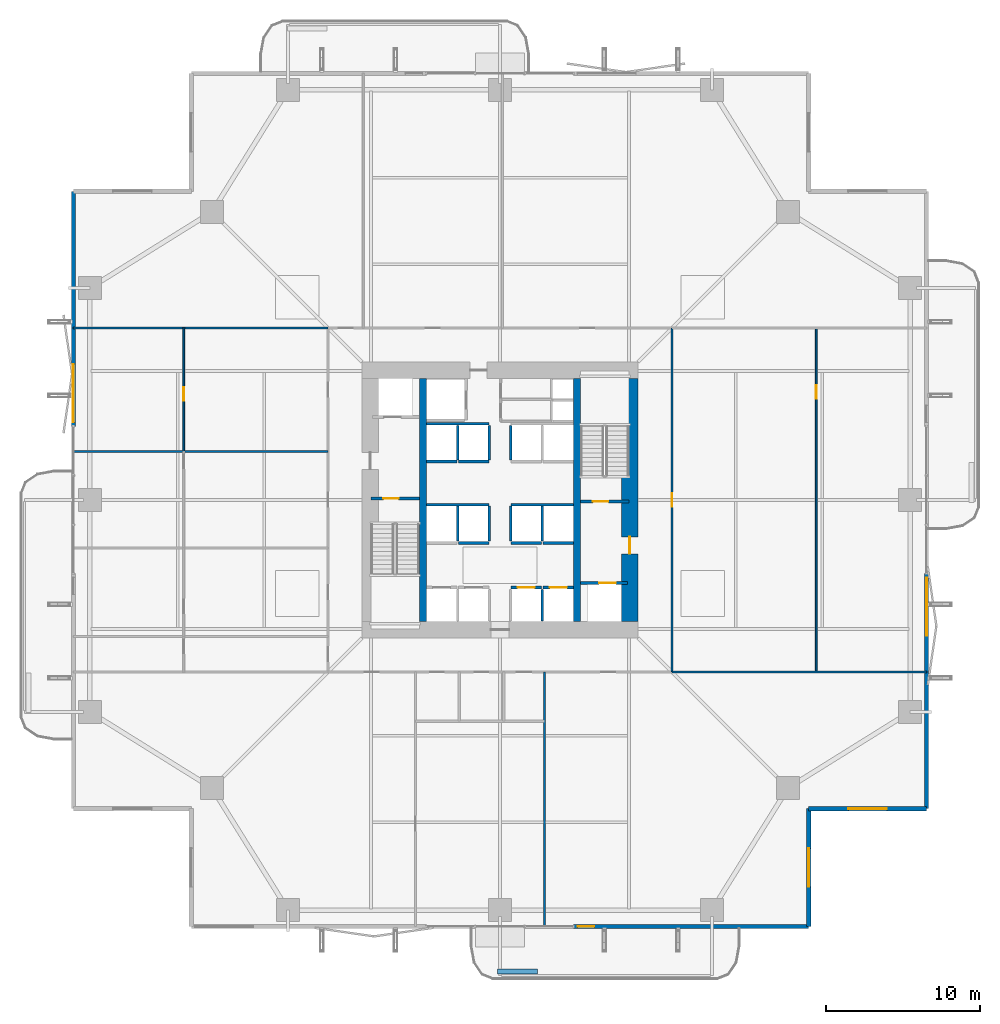
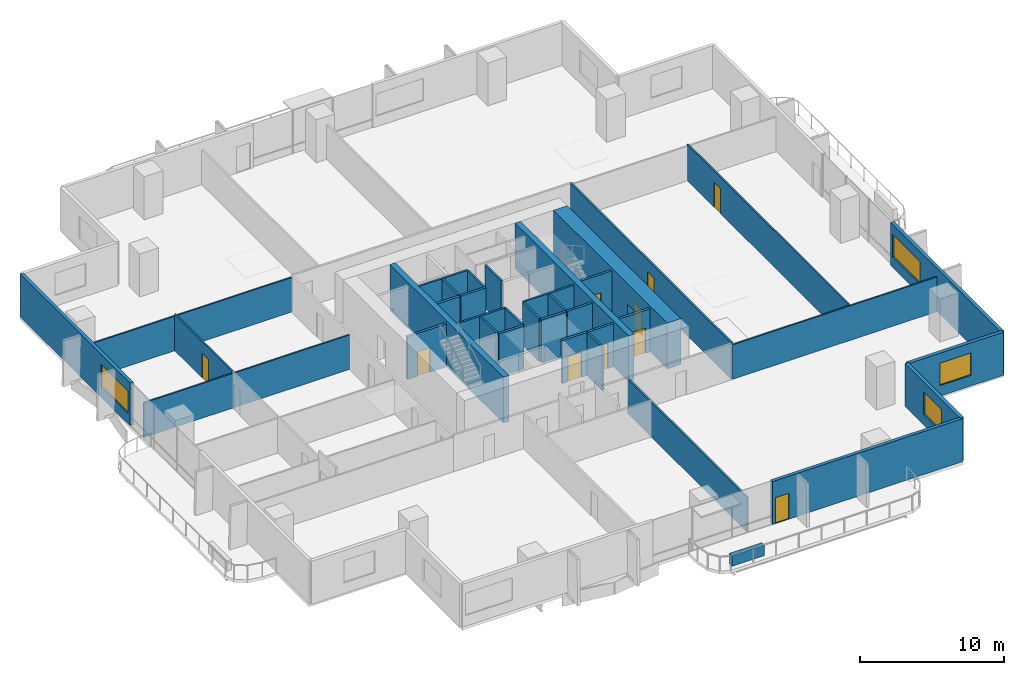
# One storey, part 18 of 24: 37 walls, 10 doors, 4 windows, 14 openings.
"""IFC4 building model written with IfcOpenShell, lengths in metres."""

from ifc_helpers import new_model, si_unit, direction, frame, frame_2d, origin, place, context, subcontext, project, spatial, rectangle, extrude, material, layer, layer_set, type_object, element, fill, save


model = new_model("IFC4")

# Units and contexts
model_context = context("Model", 3, precision=1e-05, world=origin(), true_north=direction((0.0, 1.0)))
body_context = subcontext(model_context, "Body", "Model", "MODEL_VIEW")
ifc_project = project(units=[si_unit("LENGTHUNIT", "METRE"), si_unit("AREAUNIT", "SQUARE_METRE"), si_unit("VOLUMEUNIT", "CUBIC_METRE"), si_unit("PLANEANGLEUNIT", "RADIAN"), si_unit("MASSUNIT", "GRAM", prefix="KILO")], contexts=[model_context])

# Site, building, storey
site_placement = place(None, origin())
site = spatial("IfcSite", under=ifc_project, at=site_placement, CompositionType="ELEMENT")
building_placement = place(site_placement, origin())
building = spatial("IfcBuilding", under=site, at=building_placement, Name="Belovzor Exchange Tower", CompositionType="ELEMENT")
storey_placement = place(building_placement, frame((0.0, 0.0, 80.699951171875)))
storey = spatial("IfcBuildingStorey", under=building, at=storey_placement, Name="L19", CompositionType="ELEMENT", Elevation=80.699951171875)

# Walls
ifc_material_1 = material(Name="Acoustic Plasterboard on Galvanised Studs", Category="gypsum")
ifc_layer_1 = layer(ifc_material_1, 0.1201171875)
ifc_layer_set_1 = layer_set([ifc_layer_1], Name="Acoustic Plasterboard on Galvanised Studs")
wall_type_1 = type_object("IfcWallType", Name="Acoustic Double-Stud Partition Wall 120", PredefinedType="PARTITIONING", material=ifc_layer_set_1)
for number, where, z_axis, x_axis, name in (
    (1, (40.0, 17.60009765625, 0.0), (0.0, 0.0, 1.0), (1.0, 0.0, 0.0), "W-P120 Partition Wall W-L19-END-SE"),
    (2, (1.030029296875, 40.0, 0.0), (0.0, 0.0, 1.0), (1.0, 0.0, 0.0), "W-P120 Partition Wall W-L19-END-NW"),
    (3, (1.030029296875, 31.9619140625, 0.0), (0.0, 0.0, 1.0), (1.0, 0.0, 0.0), "W-P120 Partition Wall W-L19-WDIV-3"),
):
    element("IfcWall", number, at=place(storey_placement, frame(where, z_axis=z_axis, x_axis=x_axis)), inside=storey, type_object=wall_type_1, Name=name, PredefinedType="PARTITIONING", context=body_context, shape_type="SweptSolid", body=[
        extrude(rectangle(XDim=16.570068359375, YDim=0.1201171875, at=frame_2d((8.28515625, 0.0))), origin(), (0.0, 0.0, 1.0), 2.93505859375),
    ])

# Wall, opening, door
wall_1_placement = place(storey_placement, frame((8.2119140625, 31.9619140625, 0.0), z_axis=(0.0, 0.0, 1.0), x_axis=(0.0, 1.0, 0.0)))
wall_1 = element("IfcWall", 4, at=wall_1_placement, inside=storey, type_object=wall_type_1, Name="W-P120 Partition Wall W-L19-WHDIV-3", PredefinedType="PARTITIONING", context=body_context, shape_type="SweptSolid", body=[
    extrude(rectangle(XDim=8.0380859375, YDim=0.1201171875, at=frame_2d((4.01904296875, 0.0))), origin(), (0.0, 0.0, 1.0), 3.0849609375),
])
opening_1_placement = place(wall_1_placement, frame((3.2880859375, 0.0, 0.0)))
opening_1 = element("IfcOpeningElement", 5, at=opening_1_placement, cuts=wall_1, Name="Opening D-INT-090", PredefinedType="OPENING", context=body_context, shape_type="SweptSolid", body=[
    extrude(rectangle(XDim=0.89990234375, YDim=2.10009765625, at=frame_2d((0.449951171875, 1.050048828125))), frame((0.0, 0.070068359375, 0.0), z_axis=(0.0, -1.0, 0.0), x_axis=(1.0, 0.0, 0.0)), (0.0, 0.0, 1.0), 0.14013671875),
])
ifc_material_2 = material(Name="Veneered Hardwood Acoustic Leaf", Category="wood")
door_type_1 = type_object("IfcDoorType", Name="Trading Suite Acoustic Single Door 900x2100", OperationType="NOTDEFINED", PredefinedType="DOOR", material=ifc_material_2)
door_1_placement = place(opening_1_placement, origin())
door_1 = element("IfcDoor", 6, at=door_1_placement, inside=storey, type_object=door_type_1, Name="D-INT-090 Trading Suite Acoustic Single Door 900x2100", OperationType="SINGLE_SWING_LEFT", OverallHeight=2.10009765625, OverallWidth=0.89990234375, PredefinedType="DOOR", context=body_context, shape_type="SweptSolid", body=[
    extrude(rectangle(XDim=0.89990234375, YDim=2.10009765625, at=frame_2d((0.449951171875, 1.050048828125))), frame((0.0, 0.02490234375, 0.0), z_axis=(0.0, -1.0, 0.0), x_axis=(1.0, 0.0, 0.0)), (0.0, 0.0, 1.0), 0.050048828125),
])
fill(opening_1, door_1)

wall_2_placement = place(storey_placement, frame((49.387939453125, 17.60009765625, 0.0), z_axis=(0.0, 0.0, 1.0), x_axis=(0.0, 1.0, 0.0)))
wall_2 = element("IfcWall", 7, at=wall_2_placement, inside=storey, type_object=wall_type_1, Name="W-P120 Partition Wall W-L19-EHDIV-0", PredefinedType="PARTITIONING", context=body_context, shape_type="SweptSolid", body=[
    extrude(rectangle(XDim=22.39990234375, YDim=0.1201171875, at=frame_2d((11.199951171875, 0.0))), origin(), (0.0, 0.0, 1.0), 3.0849609375),
])
opening_2_placement = place(wall_2_placement, frame((17.782958984375, 0.0, 0.0)))
opening_2 = element("IfcOpeningElement", 8, at=opening_2_placement, cuts=wall_2, Name="Opening D-INT-090", PredefinedType="OPENING", context=body_context, shape_type="SweptSolid", body=[
    extrude(rectangle(XDim=0.89990234375, YDim=2.10009765625, at=frame_2d((0.449951171875, 1.050048828125))), frame((0.0, 0.070068359375, 0.0), z_axis=(0.0, -1.0, 0.0), x_axis=(1.0, 0.0, 0.0)), (0.0, 0.0, 1.0), 0.14013671875),
])
door_2_placement = place(opening_2_placement, origin())
door_2 = element("IfcDoor", 9, at=door_2_placement, inside=storey, type_object=door_type_1, Name="D-INT-090 Trading Suite Acoustic Single Door 900x2100", OperationType="SINGLE_SWING_RIGHT", OverallHeight=2.10009765625, OverallWidth=0.89990234375, PredefinedType="DOOR", context=body_context, shape_type="SweptSolid", body=[
    extrude(rectangle(XDim=0.89990234375, YDim=2.10009765625, at=frame_2d((0.449951171875, 1.050048828125))), frame((0.0, 0.02490234375, 0.0), z_axis=(0.0, -1.0, 0.0), x_axis=(1.0, 0.0, 0.0)), (0.0, 0.0, 1.0), 0.050048828125),
])
fill(opening_2, door_2)

# Wall
ifc_material_3 = material(Name="Fire-Rated Gypsum Block and Mineral Wool", Category="gypsum")
ifc_layer_2 = layer(ifc_material_3, 0.14990234375)
ifc_layer_set_2 = layer_set([ifc_layer_2], Name="Fire-Rated Gypsum Block and Mineral Wool")
wall_type_2 = type_object("IfcWallType", Name="Fire-Rated Gypsum Block Corridor Wall 150", PredefinedType="PARTITIONING", material=ifc_layer_set_2)
wall_3_placement = place(storey_placement, frame((31.699951171875, 1.030029296875, 0.0), z_axis=(0.0, 0.0, 1.0), x_axis=(0.0, 1.0, 0.0)))
element("IfcWall", 10, at=wall_3_placement, inside=storey, type_object=wall_type_2, Name="W-P150 Partition Wall W-L19-WCE", PredefinedType="PARTITIONING", context=body_context, shape_type="SweptSolid", body=[
    extrude(rectangle(XDim=16.570068359375, YDim=0.14990234375, at=frame_2d((8.28515625, 0.0))), origin(), (0.0, 0.0, 1.0), 2.93505859375),
])

# Wall, opening, door
wall_4_placement = place(storey_placement, frame((40.0, 17.60009765625, 0.0), z_axis=(0.0, 0.0, 1.0), x_axis=(0.0, 1.0, 0.0)))
wall_4 = element("IfcWall", 11, at=wall_4_placement, inside=storey, type_object=wall_type_2, Name="W-P150 Partition Wall W-L19-CE", PredefinedType="PARTITIONING", context=body_context, shape_type="SweptSolid", body=[
    extrude(rectangle(XDim=22.39990234375, YDim=0.14990234375, at=frame_2d((11.199951171875, 0.0))), origin(), (0.0, 0.0, 1.0), 3.0849609375),
])
opening_3_placement = place(wall_4_placement, frame((10.75, 0.0, 0.0)))
opening_3 = element("IfcOpeningElement", 12, at=opening_3_placement, cuts=wall_4, Name="Opening D-INT-090", PredefinedType="OPENING", context=body_context, shape_type="SweptSolid", body=[
    extrude(rectangle(XDim=0.89990234375, YDim=2.10009765625, at=frame_2d((0.449951171875, 1.050048828125))), frame((0.0, 0.0849609375, 0.0), z_axis=(0.0, -1.0, 0.0), x_axis=(1.0, 0.0, 0.0)), (0.0, 0.0, 1.0), 0.169921875),
])
door_3_placement = place(opening_3_placement, origin())
door_3 = element("IfcDoor", 13, at=door_3_placement, inside=storey, type_object=door_type_1, Name="D-INT-090 Trading Suite Acoustic Single Door 900x2100", OperationType="SINGLE_SWING_RIGHT", OverallHeight=2.10009765625, OverallWidth=0.89990234375, PredefinedType="DOOR", context=body_context, shape_type="SweptSolid", body=[
    extrude(rectangle(XDim=0.89990234375, YDim=2.10009765625, at=frame_2d((0.449951171875, 1.050048828125))), frame((0.0, 0.02490234375, 0.0), z_axis=(0.0, -1.0, 0.0), x_axis=(1.0, 0.0, 0.0)), (0.0, 0.0, 1.0), 0.050048828125),
])
fill(opening_3, door_3)

# Wall, opening, window
ifc_material_4 = material(Name="Precast concrete C40/50", Category="concrete")
ifc_layer_3 = layer(ifc_material_4, 0.280029296875)
ifc_layer_set_3 = layer_set([ifc_layer_3], Name="Precast concrete C40/50")
wall_type_3 = type_object("IfcWallType", Name="Precast Concrete Notched Corner Frame Wall 280", PredefinedType="SOLIDWALL", material=ifc_layer_set_3)
wall_5_placement = place(storey_placement, frame((56.570068359375, 8.699951171875, 0.0), z_axis=(0.0, 0.0, 1.0), x_axis=(-1.0, 0.0, 0.0)))
wall_5 = element("IfcWall", 14, at=wall_5_placement, inside=storey, type_object=wall_type_3, Name="W-CRN280 Precast Concrete Notched Corner Frame Wall 280 L19", PredefinedType="SOLIDWALL", context=body_context, shape_type="SweptSolid", body=[
    extrude(rectangle(XDim=7.670166015625, YDim=0.280029296875, at=frame_2d((3.8349609375, 0.0))), origin(), (0.0, 0.0, 1.0), 3.650146484375),
])
opening_4_placement = place(wall_5_placement, frame((2.5849609375, 0.0, 0.89990234375)))
opening_4 = element("IfcOpeningElement", 15, at=opening_4_placement, cuts=wall_5, Name="Opening WN-CRN250", PredefinedType="OPENING", context=body_context, shape_type="SweptSolid", body=[
    extrude(rectangle(XDim=2.5, YDim=1.89990234375, at=frame_2d((1.25, 0.949951171875))), frame((0.0, 0.14990234375, 0.0), z_axis=(0.0, -1.0, 0.0), x_axis=(1.0, 0.0, 0.0)), (0.0, 0.0, 1.0), 0.300048828125),
])
ifc_material_5 = material(Name="Thermally Broken Aluminium and Triple Glazing", Category="aluminium")
window_type_1 = type_object("IfcWindowType", Name="Streamline Moderne Corner Wrap Ribbon Window 2500x1900", PartitioningType="SINGLE_PANEL", PredefinedType="WINDOW", material=ifc_material_5)
window_1_placement = place(opening_4_placement, origin())
window_1 = element("IfcWindow", 16, at=window_1_placement, inside=storey, type_object=window_type_1, Name="WN-CRN250 Streamline Moderne Corner Wrap Ribbon Window 2500x1900", OverallHeight=1.89990234375, OverallWidth=2.5, PartitioningType="SINGLE_PANEL", PredefinedType="WINDOW", context=body_context, shape_type="SweptSolid", body=[
    extrude(rectangle(XDim=2.5, YDim=1.89990234375, at=frame_2d((1.25, 0.949951171875))), frame((0.0, 0.030029296875, 0.0), z_axis=(0.0, -1.0, 0.0), x_axis=(1.0, 0.0, 0.0)), (0.0, 0.0, 1.0), 0.06005859375),
])
fill(opening_4, window_1)

wall_6_placement = place(storey_placement, frame((48.89990234375, 8.699951171875, 0.0), z_axis=(0.0, 0.0, 1.0), x_axis=(0.0, -1.0, 0.0)))
wall_6 = element("IfcWall", 17, at=wall_6_placement, inside=storey, type_object=wall_type_3, Name="W-CRN280 Precast Concrete Notched Corner Frame Wall 280 L19", PredefinedType="SOLIDWALL", context=body_context, shape_type="SweptSolid", body=[
    extrude(rectangle(XDim=7.669921875, YDim=0.280029296875, at=frame_2d((3.8349609375, 0.0))), origin(), (0.0, 0.0, 1.0), 3.650146484375),
])
opening_5_placement = place(wall_6_placement, frame((2.5849609375, 0.0, 0.89990234375)))
opening_5 = element("IfcOpeningElement", 18, at=opening_5_placement, cuts=wall_6, Name="Opening WN-CRN250", PredefinedType="OPENING", context=body_context, shape_type="SweptSolid", body=[
    extrude(rectangle(XDim=2.5, YDim=1.89990234375, at=frame_2d((1.25, 0.949951171875))), frame((0.0, 0.14990234375, 0.0), z_axis=(0.0, -1.0, 0.0), x_axis=(1.0, 0.0, 0.0)), (0.0, 0.0, 1.0), 0.300048828125),
])
window_2_placement = place(opening_5_placement, origin())
window_2 = element("IfcWindow", 19, at=window_2_placement, inside=storey, type_object=window_type_1, Name="WN-CRN250 Streamline Moderne Corner Wrap Ribbon Window 2500x1900", OverallHeight=1.89990234375, OverallWidth=2.5, PartitioningType="SINGLE_PANEL", PredefinedType="WINDOW", context=body_context, shape_type="SweptSolid", body=[
    extrude(rectangle(XDim=2.5, YDim=1.89990234375, at=frame_2d((1.25, 0.949951171875))), frame((0.0, 0.030029296875, 0.0), z_axis=(0.0, -1.0, 0.0), x_axis=(1.0, 0.0, 0.0)), (0.0, 0.0, 1.0), 0.06005859375),
])
fill(opening_5, window_2)

# Wall, opening, door
ifc_material_6 = material(Name="Precast concrete C40/50", Category="concrete")
ifc_layer_4 = layer(ifc_material_6, 0.260009765625)
ifc_layer_set_4 = layer_set([ifc_layer_4], Name="Precast concrete C40/50")
wall_type_4 = type_object("IfcWallType", Name="Precast Concrete Perimeter Loggia Frame Wall 260", PredefinedType="SOLIDWALL", material=ifc_layer_set_4)
wall_7_placement = place(storey_placement, frame((48.89990234375, 1.030029296875, 0.0), z_axis=(0.0, 0.0, 1.0), x_axis=(-1.0, 0.0, 0.0)))
wall_7 = element("IfcWall", 20, at=wall_7_placement, inside=storey, type_object=wall_type_4, Name="W-EXT260 Precast Concrete Perimeter Loggia Frame Wall 260 L19", PredefinedType="SOLIDWALL", context=body_context, shape_type="SweptSolid", body=[
    extrude(rectangle(XDim=15.2998046875, YDim=0.260009765625, at=frame_2d((7.64990234375, 0.0))), origin(), (0.0, 0.0, 1.0), 3.650146484375),
])
opening_6_placement = place(wall_7_placement, frame((13.949951171875, 0.0, 0.0)))
opening_6 = element("IfcOpeningElement", 21, at=opening_6_placement, cuts=wall_7, Name="Opening D-BAL110", PredefinedType="OPENING", context=body_context, shape_type="SweptSolid", body=[
    extrude(rectangle(XDim=1.10009765625, YDim=2.199951171875, at=frame_2d((0.550048828125, 1.10009765625))), frame((0.0, 0.139892578125, 0.0), z_axis=(0.0, -1.0, 0.0), x_axis=(1.0, 0.0, 0.0)), (0.0, 0.0, 1.0), 0.280029296875),
])
ifc_material_7 = material(Name="Thermally Broken Anodised Aluminium and Laminated Glass", Category="aluminium")
door_type_2 = type_object("IfcDoorType", Name="Planted Loggia Terrace Glazed Door 1100x2200", OperationType="SINGLE_SWING_LEFT", PredefinedType="DOOR", material=ifc_material_7)
door_4_placement = place(opening_6_placement, origin())
door_4 = element("IfcDoor", 22, at=door_4_placement, inside=storey, type_object=door_type_2, Name="D-BAL110 Balcony Terrace Door L19 S", OperationType="SINGLE_SWING_LEFT", OverallHeight=2.199951171875, OverallWidth=1.10009765625, PredefinedType="DOOR", context=body_context, shape_type="SweptSolid", body=[
    extrude(rectangle(XDim=1.10009765625, YDim=2.199951171875, at=frame_2d((0.550048828125, 1.10009765625))), frame((0.0, 0.02490234375, 0.0), z_axis=(0.0, -1.0, 0.0), x_axis=(1.0, 0.0, 0.0)), (0.0, 0.0, 1.0), 0.050048828125),
])
fill(opening_6, door_4)

# Wall, opening, window
wall_8_placement = place(storey_placement, frame((1.030029296875, 33.60009765625, 0.0), z_axis=(0.0, 0.0, 1.0), x_axis=(0.0, 1.0, 0.0)))
wall_8 = element("IfcWall", 23, at=wall_8_placement, inside=storey, type_object=wall_type_4, Name="W-EXT260 Precast Concrete Perimeter Loggia Frame Wall 260 L19", PredefinedType="SOLIDWALL", context=body_context, shape_type="SweptSolid", body=[
    extrude(rectangle(XDim=15.2998046875, YDim=0.260009765625, at=frame_2d((7.64990234375, 0.0))), origin(), (0.0, 0.0, 1.0), 3.650146484375),
])
opening_7_placement = place(wall_8_placement, frame((0.25, 0.0, 0.89990234375)))
opening_7 = element("IfcOpeningElement", 24, at=opening_7_placement, cuts=wall_8, Name="Opening WN-RIB380", PredefinedType="OPENING", context=body_context, shape_type="SweptSolid", body=[
    extrude(rectangle(XDim=3.800048828125, YDim=1.89990234375, at=frame_2d((1.89990234375, 0.949951171875))), frame((0.0, 0.139892578125, 0.0), z_axis=(0.0, -1.0, 0.0), x_axis=(1.0, 0.0, 0.0)), (0.0, 0.0, 1.0), 0.280029296875),
])
ifc_material_8 = material(Name="Thermally Broken Aluminium and Triple Glazing", Category="aluminium")
window_type_2 = type_object("IfcWindowType", Name="Streamline Moderne Horizontal Ribbon Window 3800x1900", PartitioningType="SINGLE_PANEL", PredefinedType="WINDOW", material=ifc_material_8)
window_3_placement = place(opening_7_placement, origin())
window_3 = element("IfcWindow", 25, at=window_3_placement, inside=storey, type_object=window_type_2, Name="WN-RIB380 Streamline Moderne Horizontal Ribbon Window 3800x1900", OverallHeight=1.89990234375, OverallWidth=3.800048828125, PartitioningType="SINGLE_PANEL", PredefinedType="WINDOW", context=body_context, shape_type="SweptSolid", body=[
    extrude(rectangle(XDim=3.800048828125, YDim=1.89990234375, at=frame_2d((1.89990234375, 0.949951171875))), frame((0.0, 0.030029296875, 0.0), z_axis=(0.0, -1.0, 0.0), x_axis=(1.0, 0.0, 0.0)), (0.0, 0.0, 1.0), 0.06005859375),
])
fill(opening_7, window_3)

wall_9_placement = place(storey_placement, frame((56.570068359375, 24.0, 0.0), z_axis=(0.0, 0.0, 1.0), x_axis=(0.0, -1.0, 0.0)))
wall_9 = element("IfcWall", 26, at=wall_9_placement, inside=storey, type_object=wall_type_4, Name="W-EXT260 Precast Concrete Perimeter Loggia Frame Wall 260 L19", PredefinedType="SOLIDWALL", context=body_context, shape_type="SweptSolid", body=[
    extrude(rectangle(XDim=15.300048828125, YDim=0.260009765625, at=frame_2d((7.64990234375, 0.0))), origin(), (0.0, 0.0, 1.0), 3.650146484375),
])
opening_8_placement = place(wall_9_placement, frame((0.25, 0.0, 0.89990234375)))
opening_8 = element("IfcOpeningElement", 27, at=opening_8_placement, cuts=wall_9, Name="Opening WN-RIB380", PredefinedType="OPENING", context=body_context, shape_type="SweptSolid", body=[
    extrude(rectangle(XDim=3.800048828125, YDim=1.89990234375, at=frame_2d((1.89990234375, 0.949951171875))), frame((0.0, 0.139892578125, 0.0), z_axis=(0.0, -1.0, 0.0), x_axis=(1.0, 0.0, 0.0)), (0.0, 0.0, 1.0), 0.280029296875),
])
window_4_placement = place(opening_8_placement, origin())
window_4 = element("IfcWindow", 28, at=window_4_placement, inside=storey, type_object=window_type_2, Name="WN-RIB380 Streamline Moderne Horizontal Ribbon Window 3800x1900", OverallHeight=1.89990234375, OverallWidth=3.800048828125, PartitioningType="SINGLE_PANEL", PredefinedType="WINDOW", context=body_context, shape_type="SweptSolid", body=[
    extrude(rectangle(XDim=3.800048828125, YDim=1.89990234375, at=frame_2d((1.89990234375, 0.949951171875))), frame((0.0, 0.030029296875, 0.0), z_axis=(0.0, -1.0, 0.0), x_axis=(1.0, 0.0, 0.0)), (0.0, 0.0, 1.0), 0.06005859375),
])
fill(opening_8, window_4)

# Walls
ifc_material_9 = material(Name="Precast concrete C40/50", Category="concrete")
ifc_layer_5 = layer(ifc_material_9, 0.35009765625)
ifc_layer_set_5 = layer_set([ifc_layer_5], Name="Precast concrete C40/50")
wall_type_5 = type_object("IfcWallType", Name="Precast Concrete Structural Tree Planter Trough 350", PredefinedType="PARAPET", material=ifc_layer_set_5)
wall_10_placement = place(storey_placement, frame((28.64990234375, -1.89990234375, 0.0), z_axis=(0.0, 0.0, 1.0), x_axis=(1.0, 0.0, 0.0)))
element("IfcWall", 29, at=wall_10_placement, inside=storey, type_object=wall_type_5, Name="PT-350 Precast Concrete Structural Tree Planter Trough 350 L19", PredefinedType="PARAPET", context=body_context, shape_type="SweptSolid", body=[
    extrude(rectangle(XDim=2.60009765625, YDim=0.35009765625, at=frame_2d((1.300048828125, 0.0))), origin(), (0.0, 0.0, 1.0), 0.900146484375),
])
ifc_material_10 = material(Name="Concrete C50/60", Category="concrete")
ifc_layer_6 = layer(ifc_material_10, 0.449951171875)
ifc_layer_set_6 = layer_set([ifc_layer_6], Name="Concrete C50/60")
wall_type_6 = type_object("IfcWallType", Name="Reinforced Concrete Core Internal Web Wall 450", PredefinedType="SHEAR", material=ifc_layer_set_6)
for number, where, z_axis, x_axis, name in (
    (30, (23.77490234375, 20.89990234375, 0.0), (0.0, 0.0, 1.0), (0.0, 1.0, 0.0), "CW-W045 Core Internal Web Wall L19 WL"),
    (31, (33.824951171875, 20.89990234375, 0.0), (0.0, 0.0, 1.0), (0.0, 1.0, 0.0), "CW-W045 Core Internal Web Wall L19 ER"),
):
    element("IfcWall", number, at=place(storey_placement, frame(where, z_axis=z_axis, x_axis=x_axis)), inside=storey, type_object=wall_type_6, Name=name, PredefinedType="SHEAR", context=body_context, shape_type="SweptSolid", body=[
        extrude(rectangle(XDim=15.800048828125, YDim=0.449951171875, at=frame_2d((7.89990234375, 0.0))), origin(), (0.0, 0.0, 1.0), 3.900146484375),
    ])
ifc_material_11 = material(Name="Concrete C50/60", Category="concrete")
ifc_layer_7 = layer(ifc_material_11, 0.14990234375)
ifc_layer_set_7 = layer_set([ifc_layer_7], Name="Concrete C50/60")
wall_type_7 = type_object("IfcWallType", Name="Reinforced Concrete Core Riser Shear Wall 150", PredefinedType="SHEAR", material=ifc_layer_set_7)
wall_11_placement = place(storey_placement, frame((31.550048828125, 20.919921875, 0.0), z_axis=(0.0, 0.0, 1.0), x_axis=(0.0, 1.0, 0.0)))
element("IfcWall", 32, at=wall_11_placement, inside=storey, type_object=wall_type_7, Name="W-C150S Core Shaft Wall W-SHD-L19-PLL-4", PredefinedType="SHEAR", context=body_context, shape_type="SweptSolid", body=[
    extrude(rectangle(XDim=2.06005859375, YDim=0.14990234375, at=frame_2d((1.030029296875, 0.0))), origin(), (0.0, 0.0, 1.0), 3.650146484375),
])
for number, where, z_axis, x_axis, name in (
    (33, (24.02001953125, 28.5, 0.0), (0.0, 0.0, 1.0), (1.0, 0.0, 0.0), "W-C150S Core Shaft Wall W-SHB-L19-PLM-NW"),
    (34, (29.5, 28.5, 0.0), (0.0, 0.0, 1.0), (1.0, 0.0, 0.0), "W-C150S Core Shaft Wall W-SHB-L19-PLM-NE"),
):
    element("IfcWall", number, at=place(storey_placement, frame(where, z_axis=z_axis, x_axis=x_axis)), inside=storey, type_object=wall_type_7, Name=name, PredefinedType="SHEAR", context=body_context, shape_type="SweptSolid", body=[
        extrude(rectangle(XDim=4.080078125, YDim=0.14990234375, at=frame_2d((2.0400390625, 0.0))), origin(), (0.0, 0.0, 1.0), 3.650146484375),
    ])
for number, where, z_axis, x_axis, name in (
    (35, (26.050048828125, 26.1201171875, 0.0), (0.0, 0.0, 1.0), (0.0, 1.0, 0.0), "W-C150S Core Shaft Wall W-SHD-L19-PLM-1"),
    (36, (28.10009765625, 26.1201171875, 0.0), (0.0, 0.0, 1.0), (0.0, 1.0, 0.0), "W-C150S Core Shaft Wall W-SHD-L19-PLM-2"),
    (37, (29.5, 26.1201171875, 0.0), (0.0, 0.0, 1.0), (0.0, 1.0, 0.0), "W-C150S Core Shaft Wall W-SHD-L19-PLM-3"),
    (38, (31.550048828125, 26.1201171875, 0.0), (0.0, 0.0, 1.0), (0.0, 1.0, 0.0), "W-C150S Core Shaft Wall W-SHD-L19-PLM-4"),
):
    element("IfcWall", number, at=place(storey_placement, frame(where, z_axis=z_axis, x_axis=x_axis)), inside=storey, type_object=wall_type_7, Name=name, PredefinedType="SHEAR", context=body_context, shape_type="SweptSolid", body=[
        extrude(rectangle(XDim=2.27978515625, YDim=0.14990234375, at=frame_2d((1.139892578125, 0.0))), origin(), (0.0, 0.0, 1.0), 3.650146484375),
    ])
wall_12_placement = place(storey_placement, frame((24.02001953125, 33.760009765625, 0.0), z_axis=(0.0, 0.0, 1.0), x_axis=(1.0, 0.0, 0.0)))
element("IfcWall", 39, at=wall_12_placement, inside=storey, type_object=wall_type_7, Name="W-C150S Core Shaft Wall W-SHB-L19-PLH-NW", PredefinedType="SHEAR", context=body_context, shape_type="SweptSolid", body=[
    extrude(rectangle(XDim=4.080078125, YDim=0.14990234375, at=frame_2d((2.0400390625, 0.0))), origin(), (0.0, 0.0, 1.0), 3.650146484375),
])
for number, where, z_axis, x_axis, name in (
    (40, (26.050048828125, 31.419921875, 0.0), (0.0, 0.0, 1.0), (0.0, 1.0, 0.0), "W-C150S Core Shaft Wall W-SHD-L19-PLH-1"),
    (41, (28.10009765625, 31.419921875, 0.0), (0.0, 0.0, 1.0), (0.0, 1.0, 0.0), "W-C150S Core Shaft Wall W-SHD-L19-PLH-2"),
    (42, (29.5, 31.419921875, 0.0), (0.0, 0.0, 1.0), (0.0, 1.0, 0.0), "W-C150S Core Shaft Wall W-SHD-L19-PLH-3"),
):
    element("IfcWall", number, at=place(storey_placement, frame(where, z_axis=z_axis, x_axis=x_axis)), inside=storey, type_object=wall_type_7, Name=name, PredefinedType="SHEAR", context=body_context, shape_type="SweptSolid", body=[
        extrude(rectangle(XDim=2.239990234375, YDim=0.14990234375, at=frame_2d((1.1201171875, 0.0))), origin(), (0.0, 0.0, 1.0), 3.650146484375),
    ])

# Wall, opening, door
ifc_material_12 = material(Name="Concrete C50/60", Category="concrete")
ifc_layer_8 = layer(ifc_material_12, 0.199951171875)
ifc_layer_set_8 = layer_set([ifc_layer_8], Name="Concrete C50/60")
wall_type_8 = type_object("IfcWallType", Name="Reinforced Concrete Core Shaft Shear Wall 200", PredefinedType="SHEAR", material=ifc_layer_set_8)
wall_13_placement = place(storey_placement, frame((20.39990234375, 28.89990234375, 0.0), z_axis=(0.0, 0.0, 1.0), x_axis=(1.0, 0.0, 0.0)))
wall_13 = element("IfcWall", 43, at=wall_13_placement, inside=storey, type_object=wall_type_8, Name="W-C200S Core Shaft Wall W-CORE-L19-FFLW1", PredefinedType="SHEAR", context=body_context, shape_type="SweptSolid", body=[
    extrude(rectangle(XDim=3.150146484375, YDim=0.199951171875, at=frame_2d((1.5751953125, 0.0))), origin(), (0.0, 0.0, 1.0), 3.650146484375),
])
opening_9_placement = place(wall_13_placement, frame((0.800048828125, 0.0, 0.0)))
opening_9 = element("IfcOpeningElement", 44, at=opening_9_placement, cuts=wall_13, Name="Opening D-FD90-100", PredefinedType="OPENING", context=body_context, shape_type="SweptSolid", body=[
    extrude(rectangle(XDim=1.0, YDim=2.10009765625, at=frame_2d((0.5, 1.050048828125))), frame((0.0, 0.10986328125, 0.0), z_axis=(0.0, -1.0, 0.0), x_axis=(1.0, 0.0, 0.0)), (0.0, 0.0, 1.0), 0.219970703125),
])
ifc_material_13 = material(Name="Fire-Rated Galvanised Steel Leaf", Category="steel")
door_type_3 = type_object("IfcDoorType", Name="Protected Stairwell Single Fire Door 1000x2100", OperationType="NOTDEFINED", PredefinedType="DOOR", material=ifc_material_13)
door_5_placement = place(opening_9_placement, origin())
door_5 = element("IfcDoor", 45, at=door_5_placement, inside=storey, type_object=door_type_3, Name="D-FD90-100 Protected Stairwell Single Fire Door 1000x2100", OperationType="SINGLE_SWING_RIGHT", OverallHeight=2.10009765625, OverallWidth=1.0, PredefinedType="DOOR", context=body_context, shape_type="SweptSolid", body=[
    extrude(rectangle(XDim=1.0, YDim=2.10009765625, at=frame_2d((0.5, 1.050048828125))), frame((0.0, 0.02490234375, 0.0), z_axis=(0.0, -1.0, 0.0), x_axis=(1.0, 0.0, 0.0)), (0.0, 0.0, 1.0), 0.050048828125),
])
fill(opening_9, door_5)

wall_14_placement = place(storey_placement, frame((34.050048828125, 28.699951171875, 0.0), z_axis=(0.0, 0.0, 1.0), x_axis=(1.0, 0.0, 0.0)))
wall_14 = element("IfcWall", 46, at=wall_14_placement, inside=storey, type_object=wall_type_8, Name="W-C200S Core Shaft Wall W-CORE-L19-FFLE2", PredefinedType="SHEAR", context=body_context, shape_type="SweptSolid", body=[
    extrude(rectangle(XDim=3.14990234375, YDim=0.199951171875, at=frame_2d((1.574951171875, 0.0))), origin(), (0.0, 0.0, 1.0), 3.650146484375),
])
opening_10_placement = place(wall_14_placement, frame((0.800048828125, 0.0, 0.0)))
opening_10 = element("IfcOpeningElement", 47, at=opening_10_placement, cuts=wall_14, Name="Opening D-FD90-100", PredefinedType="OPENING", context=body_context, shape_type="SweptSolid", body=[
    extrude(rectangle(XDim=1.0, YDim=2.10009765625, at=frame_2d((0.5, 1.050048828125))), frame((0.0, 0.10986328125, 0.0), z_axis=(0.0, -1.0, 0.0), x_axis=(1.0, 0.0, 0.0)), (0.0, 0.0, 1.0), 0.219970703125),
])
door_6_placement = place(opening_10_placement, origin())
door_6 = element("IfcDoor", 48, at=door_6_placement, inside=storey, type_object=door_type_3, Name="D-FD90-100 Protected Stairwell Single Fire Door 1000x2100", OperationType="SINGLE_SWING_LEFT", OverallHeight=2.10009765625, OverallWidth=1.0, PredefinedType="DOOR", context=body_context, shape_type="SweptSolid", body=[
    extrude(rectangle(XDim=1.0, YDim=2.10009765625, at=frame_2d((0.5, 1.050048828125))), frame((0.0, 0.02490234375, 0.0), z_axis=(0.0, -1.0, 0.0), x_axis=(1.0, 0.0, 0.0)), (0.0, 0.0, 1.0), 0.050048828125),
])
fill(opening_10, door_6)

wall_15_placement = place(storey_placement, frame((34.050048828125, 23.39990234375, 0.0), z_axis=(0.0, 0.0, 1.0), x_axis=(1.0, 0.0, 0.0)))
wall_15 = element("IfcWall", 49, at=wall_15_placement, inside=storey, type_object=wall_type_8, Name="W-C200S Core Shaft Wall W-SH-L19-FFL-02", PredefinedType="SHEAR", context=body_context, shape_type="SweptSolid", body=[
    extrude(rectangle(XDim=3.050048828125, YDim=0.199951171875, at=frame_2d((1.52490234375, 0.0))), origin(), (0.0, 0.0, 1.0), 3.650146484375),
])
opening_11_placement = place(wall_15_placement, frame((1.199951171875, 0.0, 0.0)))
opening_11 = element("IfcOpeningElement", 50, at=opening_11_placement, cuts=wall_15, Name="Opening LD-110", PredefinedType="OPENING", context=body_context, shape_type="SweptSolid", body=[
    extrude(rectangle(XDim=1.10009765625, YDim=2.14990234375, at=frame_2d((0.550048828125, 1.074951171875))), frame((0.0, 0.10986328125, 0.0), z_axis=(0.0, -1.0, 0.0), x_axis=(1.0, 0.0, 0.0)), (0.0, 0.0, 1.0), 0.219970703125),
])
ifc_material_14 = material(Name="Stainless Steel Grade 304", Category="steel")
door_type_4 = type_object("IfcDoorType", Name="Automated Stainless Steel Lift Landing Door 1100x2150", OperationType="SLIDING_TO_RIGHT", PredefinedType="DOOR", material=ifc_material_14)
door_7_placement = place(opening_11_placement, origin())
door_7 = element("IfcDoor", 51, at=door_7_placement, inside=storey, type_object=door_type_4, Name="LD-110 Automated Stainless Steel Lift Landing Door 1100x2150", OperationType="SLIDING_TO_RIGHT", OverallHeight=2.14990234375, OverallWidth=1.10009765625, PredefinedType="DOOR", context=body_context, shape_type="SweptSolid", body=[
    extrude(rectangle(XDim=1.10009765625, YDim=2.14990234375, at=frame_2d((0.550048828125, 1.074951171875))), frame((0.0, 0.02490234375, 0.0), z_axis=(0.0, -1.0, 0.0), x_axis=(1.0, 0.0, 0.0)), (0.0, 0.0, 1.0), 0.050048828125),
])
fill(opening_11, door_7)

wall_16_placement = place(storey_placement, frame((29.5, 23.10009765625, 0.0), z_axis=(0.0, 0.0, 1.0), x_axis=(1.0, 0.0, 0.0)))
wall_16 = element("IfcWall", 52, at=wall_16_placement, inside=storey, type_object=wall_type_8, Name="W-C200S Core Shaft Wall W-SH-L19-PL-L3", PredefinedType="SHEAR", context=body_context, shape_type="SweptSolid", body=[
    extrude(rectangle(XDim=2.0, YDim=0.199951171875, at=frame_2d((1.0, 0.0))), origin(), (0.0, 0.0, 1.0), 3.650146484375),
])
opening_12_placement = place(wall_16_placement, frame((0.449951171875, 0.0, 0.0)))
opening_12 = element("IfcOpeningElement", 53, at=opening_12_placement, cuts=wall_16, Name="Opening LD-110", PredefinedType="OPENING", context=body_context, shape_type="SweptSolid", body=[
    extrude(rectangle(XDim=1.10009765625, YDim=2.14990234375, at=frame_2d((0.550048828125, 1.074951171875))), frame((0.0, 0.10986328125, 0.0), z_axis=(0.0, -1.0, 0.0), x_axis=(1.0, 0.0, 0.0)), (0.0, 0.0, 1.0), 0.219970703125),
])
door_8_placement = place(opening_12_placement, origin())
door_8 = element("IfcDoor", 54, at=door_8_placement, inside=storey, type_object=door_type_4, Name="LD-110 Automated Stainless Steel Lift Landing Door 1100x2150", OperationType="SLIDING_TO_RIGHT", OverallHeight=2.14990234375, OverallWidth=1.10009765625, PredefinedType="DOOR", context=body_context, shape_type="SweptSolid", body=[
    extrude(rectangle(XDim=1.10009765625, YDim=2.14990234375, at=frame_2d((0.550048828125, 1.074951171875))), frame((0.0, 0.02490234375, 0.0), z_axis=(0.0, -1.0, 0.0), x_axis=(1.0, 0.0, 0.0)), (0.0, 0.0, 1.0), 0.050048828125),
])
fill(opening_12, door_8)

wall_17_placement = place(storey_placement, frame((31.60009765625, 23.10009765625, 0.0), z_axis=(0.0, 0.0, 1.0), x_axis=(1.0, 0.0, 0.0)))
wall_17 = element("IfcWall", 55, at=wall_17_placement, inside=storey, type_object=wall_type_8, Name="W-C200S Core Shaft Wall W-SH-L19-PL-L4", PredefinedType="SHEAR", context=body_context, shape_type="SweptSolid", body=[
    extrude(rectangle(XDim=2.0, YDim=0.199951171875, at=frame_2d((1.0, 0.0))), origin(), (0.0, 0.0, 1.0), 3.650146484375),
])
opening_13_placement = place(wall_17_placement, frame((0.449951171875, 0.0, 0.0)))
opening_13 = element("IfcOpeningElement", 56, at=opening_13_placement, cuts=wall_17, Name="Opening LD-110", PredefinedType="OPENING", context=body_context, shape_type="SweptSolid", body=[
    extrude(rectangle(XDim=1.10009765625, YDim=2.14990234375, at=frame_2d((0.550048828125, 1.074951171875))), frame((0.0, 0.10986328125, 0.0), z_axis=(0.0, -1.0, 0.0), x_axis=(1.0, 0.0, 0.0)), (0.0, 0.0, 1.0), 0.219970703125),
])
door_9_placement = place(opening_13_placement, origin())
door_9 = element("IfcDoor", 57, at=door_9_placement, inside=storey, type_object=door_type_4, Name="LD-110 Automated Stainless Steel Lift Landing Door 1100x2150", OperationType="SLIDING_TO_RIGHT", OverallHeight=2.14990234375, OverallWidth=1.10009765625, PredefinedType="DOOR", context=body_context, shape_type="SweptSolid", body=[
    extrude(rectangle(XDim=1.10009765625, YDim=2.14990234375, at=frame_2d((0.550048828125, 1.074951171875))), frame((0.0, 0.02490234375, 0.0), z_axis=(0.0, -1.0, 0.0), x_axis=(1.0, 0.0, 0.0)), (0.0, 0.0, 1.0), 0.050048828125),
])
fill(opening_13, door_9)

# Walls
for number, where, z_axis, x_axis, name in (
    (58, (26.10009765625, 26.0, 0.0), (0.0, 0.0, 1.0), (1.0, 0.0, 0.0), "W-C200S Core Shaft Wall W-SH-L19-PL-M2"),
    (59, (29.5, 26.0, 0.0), (0.0, 0.0, 1.0), (1.0, 0.0, 0.0), "W-C200S Core Shaft Wall W-SH-L19-PL-M3"),
    (60, (31.60009765625, 26.0, 0.0), (0.0, 0.0, 1.0), (1.0, 0.0, 0.0), "W-C200S Core Shaft Wall W-SH-L19-PL-M4"),
    (61, (24.0, 31.300048828125, 0.0), (0.0, 0.0, 1.0), (1.0, 0.0, 0.0), "W-C200S Core Shaft Wall W-SH-L19-PL-H1"),
    (62, (26.10009765625, 31.300048828125, 0.0), (0.0, 0.0, 1.0), (1.0, 0.0, 0.0), "W-C200S Core Shaft Wall W-SH-L19-PL-H2"),
):
    element("IfcWall", number, at=place(storey_placement, frame(where, z_axis=z_axis, x_axis=x_axis)), inside=storey, type_object=wall_type_8, Name=name, PredefinedType="SHEAR", context=body_context, shape_type="SweptSolid", body=[
        extrude(rectangle(XDim=2.0, YDim=0.199951171875, at=frame_2d((1.0, 0.0))), origin(), (0.0, 0.0, 1.0), 3.650146484375),
    ])

# Wall, opening, door
ifc_material_15 = material(Name="Concrete C60/75", Category="concrete")
ifc_layer_9 = layer(ifc_material_15, 1.10009765625)
ifc_layer_set_9 = layer_set([ifc_layer_9], Name="Concrete C60/75")
wall_type_9 = type_object("IfcWallType", Name="Reinforced Concrete Core Shear Wall 1100", PredefinedType="SHEAR", material=ifc_layer_set_9)
wall_18_placement = place(storey_placement, frame((37.25, 20.89990234375, 0.0), z_axis=(0.0, 0.0, 1.0), x_axis=(0.0, 1.0, 0.0)))
wall_18 = element("IfcWall", 63, at=wall_18_placement, inside=storey, type_object=wall_type_9, Name="CW-S110 Core Shear Wall L19 E", PredefinedType="SHEAR", context=body_context, shape_type="SweptSolid", body=[
    extrude(rectangle(XDim=15.800048828125, YDim=1.10009765625, at=frame_2d((7.89990234375, 0.0))), origin(), (0.0, 0.0, 1.0), 3.900146484375),
])
opening_14_placement = place(wall_18_placement, frame((4.39990234375, 0.0, 0.0)))
opening_14 = element("IfcOpeningElement", 64, at=opening_14_placement, cuts=wall_18, Name="Opening D-FD90-110", PredefinedType="OPENING", context=body_context, shape_type="SweptSolid", body=[
    extrude(rectangle(XDim=1.10009765625, YDim=2.14990234375, at=frame_2d((0.550048828125, 1.074951171875))), frame((0.0, 0.56005859375, 0.0), z_axis=(0.0, -1.0, 0.0), x_axis=(1.0, 0.0, 0.0)), (0.0, 0.0, 1.0), 1.1201171875),
])
ifc_material_16 = material(Name="Fire-Rated Galvanised Steel Leaf", Category="steel")
door_type_5 = type_object("IfcDoorType", Name="Protected Escape Vestibule Fire Door 1100x2150", OperationType="NOTDEFINED", PredefinedType="DOOR", material=ifc_material_16)
door_10_placement = place(opening_14_placement, origin())
door_10 = element("IfcDoor", 65, at=door_10_placement, inside=storey, type_object=door_type_5, Name="D-FD90-110 Protected Escape Vestibule Fire Door 1100x2150", OperationType="SINGLE_SWING_RIGHT", OverallHeight=2.14990234375, OverallWidth=1.10009765625, PredefinedType="DOOR", context=body_context, shape_type="SweptSolid", body=[
    extrude(rectangle(XDim=1.10009765625, YDim=2.14990234375, at=frame_2d((0.550048828125, 1.074951171875))), frame((0.0, 0.02490234375, 0.0), z_axis=(0.0, -1.0, 0.0), x_axis=(1.0, 0.0, 0.0)), (0.0, 0.0, 1.0), 0.050048828125),
])
fill(opening_14, door_10)

save(model, "model.ifc")
